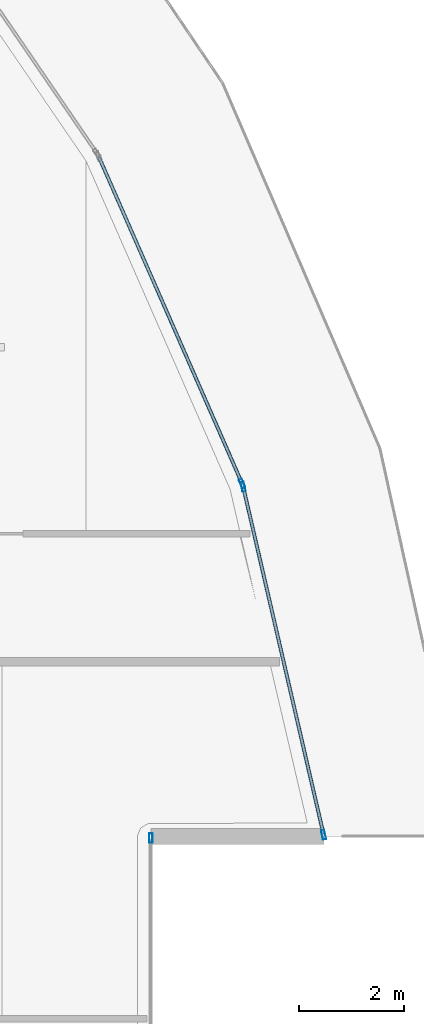
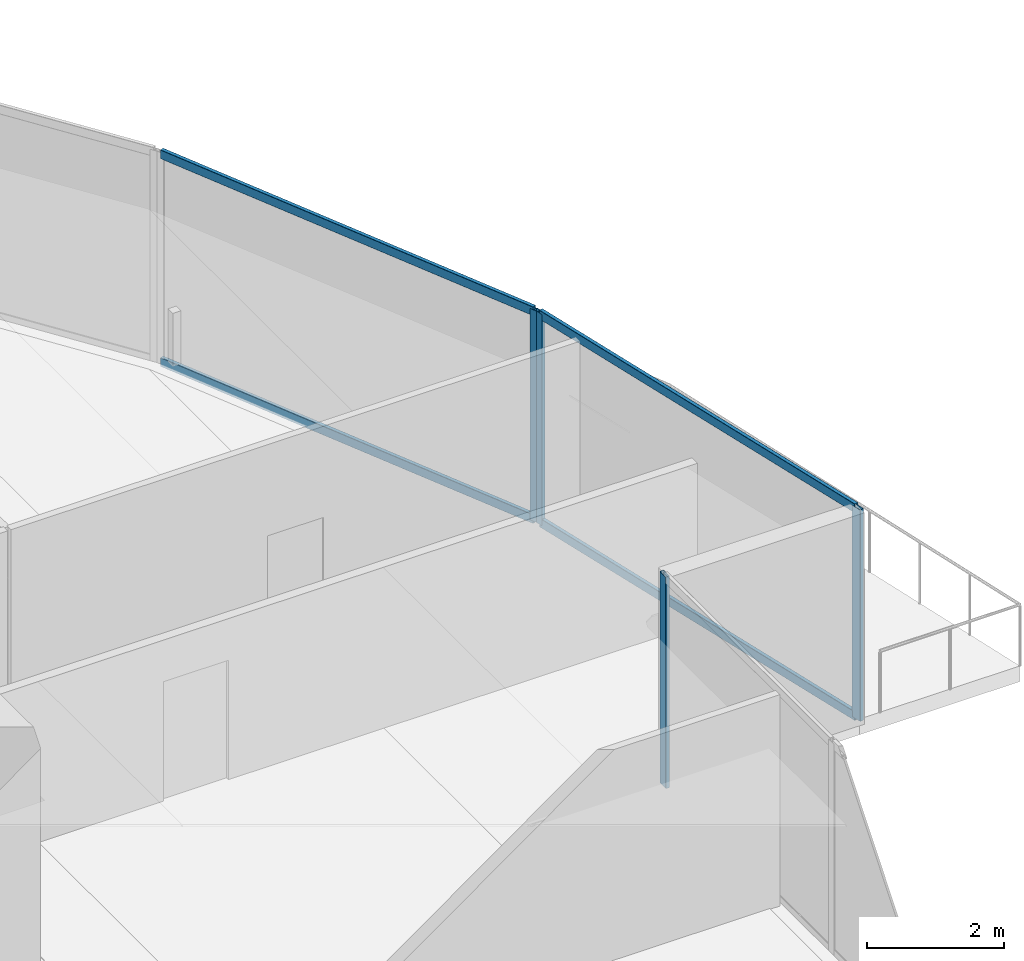
# One storey, part 18 of 35: 8 members, 3 elements without a shape of their own.
"""IFC4 building model written with IfcOpenShell, lengths in metres."""

from ifc_helpers import new_model, si_unit, direction, frame, origin, origin_2d, place, context, subcontext, project, spatial, hollow_rectangle, extrude, material, layer, layer_set, material_profile, profile_set, type_object, element, aggregate, save


model = new_model("IFC4")

# Units and contexts
model_context = context("Model", 3, precision=1e-05, world=origin(), true_north=direction((0.0, 1.0)))
body_context = subcontext(model_context, "Body", "Model", "MODEL_VIEW")
ifc_project = project(units=[si_unit("LENGTHUNIT", "METRE"), si_unit("AREAUNIT", "SQUARE_METRE"), si_unit("VOLUMEUNIT", "CUBIC_METRE"), si_unit("PLANEANGLEUNIT", "RADIAN"), si_unit("MASSUNIT", "GRAM", prefix="KILO")], contexts=[model_context])

# Site, building, storey
site_placement = place(None, origin())
site = spatial("IfcSite", under=ifc_project, at=site_placement, CompositionType="ELEMENT")
building_placement = place(site_placement, origin())
building = spatial("IfcBuilding", under=site, at=building_placement, Name="Qorvath Tower", CompositionType="ELEMENT")
storey_placement = place(building_placement, frame((0.0, 0.0, 130.050048828125)))
storey = spatial("IfcBuildingStorey", under=building, at=storey_placement, Name="L29", CompositionType="ELEMENT", Elevation=130.050048828125)

# Curtain wall, member
ifc_material_1 = material(Name="Anodised aluminium and triple low-E glass", Category="aluminium")
ifc_layer = layer(ifc_material_1, 0.179931640625)
ifc_layer_set = layer_set([ifc_layer], Name="CW-SYS-2")
curtain_wall_type = type_object("IfcCurtainWallType", Name="CW-SYS-2", PredefinedType="NOTDEFINED", material=ifc_layer_set)
curtain_wall_1_placement = place(storey_placement, origin())
curtain_wall_1 = element("IfcCurtainWall", 1, at=curtain_wall_1_placement, inside=storey, type_object=curtain_wall_type, Name="Curtain Wall CW-2 CW-T-L29-9.1", PredefinedType="NOTDEFINED")
ifc_material_2 = material(Name="Anodised aluminium 6063-T6", Category="aluminium")
ifc_material_profile_1 = material_profile(ifc_material_2, hollow_rectangle(XDim=0.06494140625, YDim=0.179931640625, WallThickness=0.00341796875, InnerFilletRadius=0.00341796875, OuterFilletRadius=0.007080078125, at=origin_2d()), Name="CWM 180x65")
ifc_profile_set_1 = profile_set([ifc_material_profile_1], Name="Anodised aluminium 6063-T6")
member_type_1 = type_object("IfcMemberType", Name="CWM-180", PredefinedType="MULLION", material=ifc_profile_set_1)
member_1_placement = place(storey_placement, frame((1.386962890625, 4.935546875, 0.0), z_axis=(0.0, 0.0, 1.0), x_axis=(-1.0, 0.0, 0.0)))
member_1 = element("IfcMember", 2, at=member_1_placement, type_object=member_type_1, Name="CW-2 mullion 3", PredefinedType="MULLION", context=body_context, shape_type="SweptSolid", body=[
    extrude(hollow_rectangle(XDim=0.06494140625, YDim=0.179931640625, WallThickness=0.00341796875, InnerFilletRadius=0.00341796875, OuterFilletRadius=0.007080078125, at=origin_2d()), origin(), (0.0, 0.0, 1.0), 3.780029296875),
])
aggregate(curtain_wall_1, [member_1])

# Curtain wall, members
curtain_wall_2_placement = place(storey_placement, origin())
curtain_wall_2 = element("IfcCurtainWall", 3, at=curtain_wall_2_placement, inside=storey, type_object=curtain_wall_type, Name="Curtain Wall CW-2 CW-T-L29-11.1", PredefinedType="NOTDEFINED")
member_2_placement = place(storey_placement, frame((4.691650390625, 4.999755859375, 0.0), z_axis=(0.0, 0.0, 1.0), x_axis=(-0.974296356855, -0.225270080166, 0.0)))
member_2 = element("IfcMember", 4, at=member_2_placement, type_object=member_type_1, Name="CW-2 mullion 1", PredefinedType="MULLION", context=body_context, shape_type="SweptSolid", body=[
    extrude(hollow_rectangle(XDim=0.06494140625, YDim=0.179931640625, WallThickness=0.00341796875, InnerFilletRadius=0.00341796875, OuterFilletRadius=0.007080078125, at=origin_2d()), origin(), (0.0, 0.0, 1.0), 3.780029296875),
])
member_3_placement = place(storey_placement, frame((3.151611328125, 11.660400390625, 0.0), z_axis=(0.0, 0.0, 1.0), x_axis=(-0.974296356855, -0.225270080166, 0.0)))
member_3 = element("IfcMember", 5, at=member_3_placement, type_object=member_type_1, Name="CW-2 mullion 2", PredefinedType="MULLION", context=body_context, shape_type="SweptSolid", body=[
    extrude(hollow_rectangle(XDim=0.06494140625, YDim=0.179931640625, WallThickness=0.00341796875, InnerFilletRadius=0.00341796875, OuterFilletRadius=0.007080078125, at=origin_2d()), origin(), (0.0, 0.0, 1.0), 3.780029296875),
])

# Curtain wall, member
curtain_wall_3_placement = place(storey_placement, origin())
curtain_wall_3 = element("IfcCurtainWall", 6, at=curtain_wall_3_placement, inside=storey, type_object=curtain_wall_type, Name="Curtain Wall CW-2 CW-T-L29-12.1", PredefinedType="NOTDEFINED")
member_4_placement = place(storey_placement, frame((3.13134765625, 11.721923828125, 0.0), z_axis=(0.0, 0.0, 1.0), x_axis=(-0.915793818987, -0.401648703602, 0.0)))
member_4 = element("IfcMember", 7, at=member_4_placement, type_object=member_type_1, Name="CW-2 mullion 1", PredefinedType="MULLION", context=body_context, shape_type="SweptSolid", body=[
    extrude(hollow_rectangle(XDim=0.06494140625, YDim=0.179931640625, WallThickness=0.00341796875, InnerFilletRadius=0.00341796875, OuterFilletRadius=0.007080078125, at=origin_2d()), origin(), (0.0, 0.0, 1.0), 3.780029296875),
])

# Member
ifc_material_3 = material(Name="Anodised aluminium 6063-T6", Category="aluminium")
ifc_material_profile_2 = material_profile(ifc_material_3, hollow_rectangle(XDim=0.06494140625, YDim=0.159912109375, WallThickness=0.00341796875, InnerFilletRadius=0.00341796875, OuterFilletRadius=0.007080078125, at=origin_2d()), Name="CWT 160x65")
ifc_profile_set_2 = profile_set([ifc_material_profile_2], Name="Anodised aluminium 6063-T6")
member_type_2 = type_object("IfcMemberType", Name="CWT-160", PredefinedType="USERDEFINED", material=ifc_profile_set_2)
member_5_placement = place(storey_placement, frame((4.684326171875, 5.03125, 0.032470703125), z_axis=(-0.22526763041, 0.974296923268, 0.0), x_axis=(-0.974296923268, -0.22526763041, 0.0)))
member_5 = element("IfcMember", 8, at=member_5_placement, type_object=member_type_2, Name="CW-2 transom 1.1", ObjectType="TRANSOM", PredefinedType="USERDEFINED", context=body_context, shape_type="SweptSolid", body=[
    extrude(hollow_rectangle(XDim=0.06494140625, YDim=0.159912109375, WallThickness=0.00341796875, InnerFilletRadius=0.00341796875, OuterFilletRadius=0.007080078125, at=origin_2d()), origin(), (0.0, 0.0, 1.0), 6.771484375),
])

member_6_placement = place(storey_placement, frame((4.684326171875, 5.03125, 3.74755859375), z_axis=(-0.22526763041, 0.974296923268, 0.0), x_axis=(-0.974296923268, -0.22526763041, 0.0)))
member_6 = element("IfcMember", 9, at=member_6_placement, type_object=member_type_2, Name="CW-2 transom 1.2", ObjectType="TRANSOM", PredefinedType="USERDEFINED", context=body_context, shape_type="SweptSolid", body=[
    extrude(hollow_rectangle(XDim=0.06494140625, YDim=0.159912109375, WallThickness=0.00341796875, InnerFilletRadius=0.00341796875, OuterFilletRadius=0.007080078125, at=origin_2d()), origin(), (0.0, 0.0, 1.0), 6.771484375),
])

aggregate(curtain_wall_2, [member_2, member_3, member_5, member_6])

member_7_placement = place(storey_placement, frame((3.1181640625, 11.751708984375, 0.032470703125), z_axis=(-0.40165088522, 0.91579286217, 0.0), x_axis=(-0.91579286217, -0.40165088522, 0.0)))
member_7 = element("IfcMember", 10, at=member_7_placement, type_object=member_type_2, Name="CW-2 transom 1.1", ObjectType="TRANSOM", PredefinedType="USERDEFINED", context=body_context, shape_type="SweptSolid", body=[
    extrude(hollow_rectangle(XDim=0.06494140625, YDim=0.159912109375, WallThickness=0.00341796875, InnerFilletRadius=0.00341796875, OuterFilletRadius=0.007080078125, at=origin_2d()), origin(), (0.0, 0.0, 1.0), 6.771484375),
])

member_8_placement = place(storey_placement, frame((3.1181640625, 11.751708984375, 3.74755859375), z_axis=(-0.40165088522, 0.91579286217, 0.0), x_axis=(-0.91579286217, -0.40165088522, 0.0)))
member_8 = element("IfcMember", 11, at=member_8_placement, type_object=member_type_2, Name="CW-2 transom 1.2", ObjectType="TRANSOM", PredefinedType="USERDEFINED", context=body_context, shape_type="SweptSolid", body=[
    extrude(hollow_rectangle(XDim=0.06494140625, YDim=0.159912109375, WallThickness=0.00341796875, InnerFilletRadius=0.00341796875, OuterFilletRadius=0.007080078125, at=origin_2d()), origin(), (0.0, 0.0, 1.0), 6.771484375),
])

aggregate(curtain_wall_3, [member_4, member_7, member_8])

save(model, "model.ifc")
